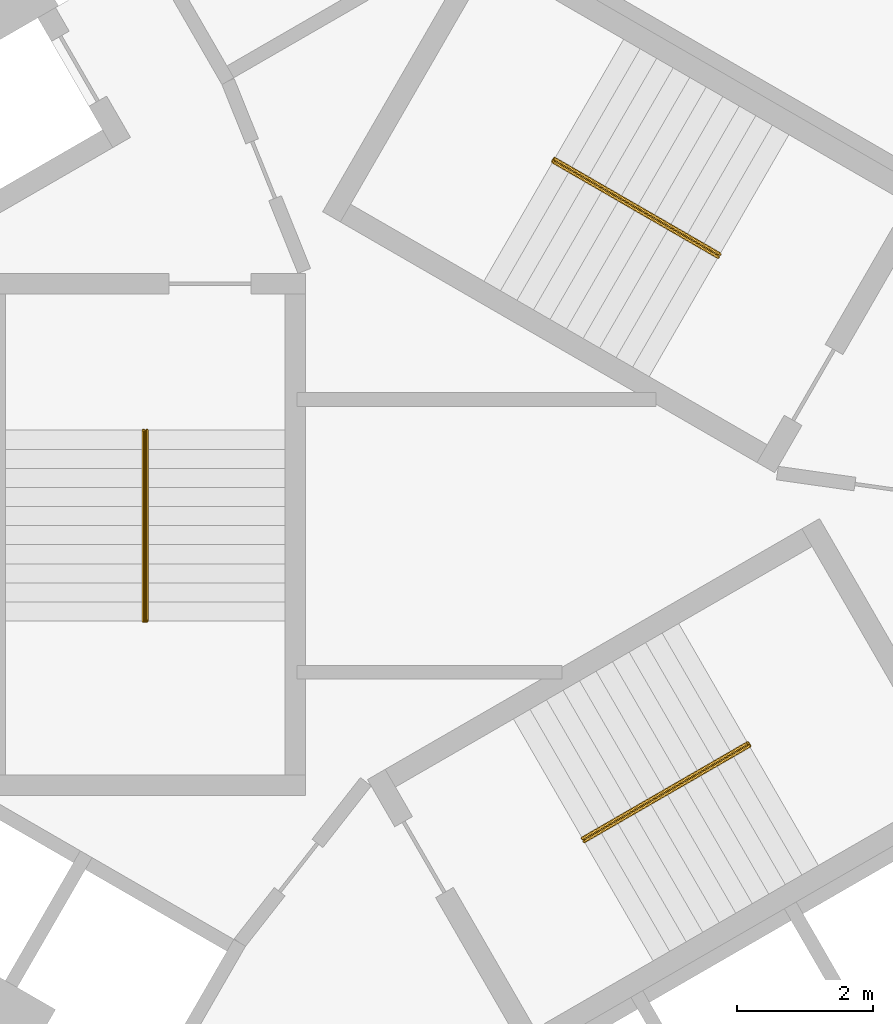
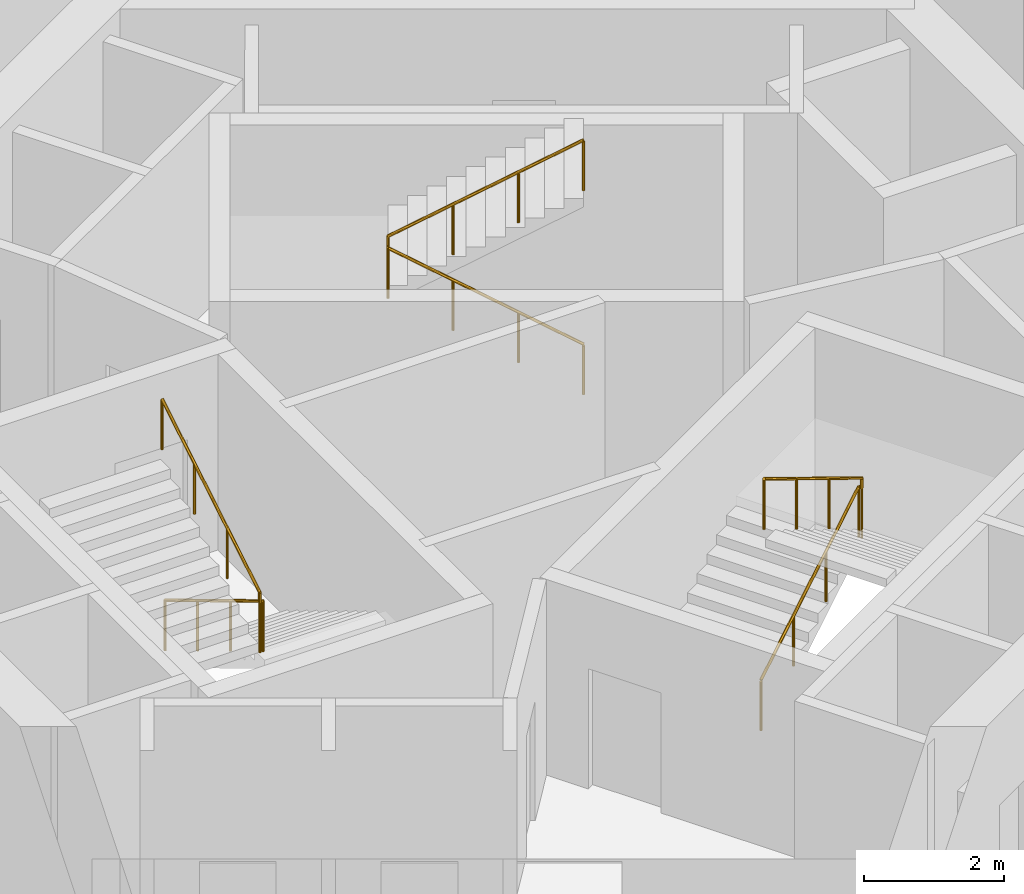
# One storey, part 11 of 11: 3 railings.
"""IFC4 building model written with IfcOpenShell, lengths in metres."""

from ifc_helpers import new_model, si_unit, direction, frame, origin, origin_2d, place, context, subcontext, project, spatial, circle, extrude, material, type_object, element, save


model = new_model("IFC4")

# Units and contexts
model_context = context("Model", 3, precision=1e-05, world=origin(), true_north=direction((0.0, 1.0)))
body_context = subcontext(model_context, "Body", "Model", "MODEL_VIEW")
ifc_project = project(units=[si_unit("LENGTHUNIT", "METRE"), si_unit("AREAUNIT", "SQUARE_METRE"), si_unit("VOLUMEUNIT", "CUBIC_METRE"), si_unit("PLANEANGLEUNIT", "RADIAN"), si_unit("MASSUNIT", "GRAM", prefix="KILO")], contexts=[model_context])

# Site, building, storey
site_placement = place(None, origin())
site = spatial("IfcSite", under=ifc_project, at=site_placement, CompositionType="ELEMENT")
building_placement = place(site_placement, origin())
building = spatial("IfcBuilding", under=site, at=building_placement, Name="Vanh Sen Convention Tower", CompositionType="ELEMENT")
storey_placement = place(building_placement, frame((0.0, 0.0, 270.89990234375)))
storey = spatial("IfcBuildingStorey", under=building, at=storey_placement, Name="L67", CompositionType="ELEMENT", Elevation=270.89990234375)

# Railings
ifc_material = material(Name="Stainless steel handrail", Category="steel")
railing_type = type_object("IfcRailingType", Name="Stair handrail 900", PredefinedType="HANDRAIL", material=ifc_material)
railing_1_placement = place(storey_placement, frame((3.45849609375, 3.690185546875, 0.168212890625)))
element("IfcRailing", 1, at=railing_1_placement, inside=storey, type_object=railing_type, Name="Stair handrail ST1 L67", PredefinedType="HANDRAIL", context=body_context, shape_type="SweptSolid", body=[
    extrude(circle(Radius=0.02392578125, at=origin_2d()), frame((0.0, 0.0, 0.8759765625), z_axis=(-0.742390482028, 0.42860119049, 0.514934356695), x_axis=(-0.49998411664, -0.866034573852, 0.0)), (0.0, 0.0, 1.0), 3.26611328125),
    extrude(circle(Radius=0.02392578125, at=origin_2d()), frame((-2.4248046875, 1.39990234375, 2.5576171875), z_axis=(0.497188445666, 0.867642581652, 0.0), x_axis=(-0.867642581652, 0.497188445666, 0.0)), (0.0, 0.0, 1.0), 0.050048828125),
    extrude(circle(Radius=0.02392578125, at=origin_2d()), frame((-2.39990234375, 1.443359375, 2.5576171875), z_axis=(0.0, 0.0, 1.0), x_axis=(1.0, 0.0, 0.0)), (0.0, 0.0, 1.0), 0.168212890625),
    extrude(circle(Radius=0.02392578125, at=origin_2d()), frame((-2.39990234375, 1.443359375, 2.72607421875), z_axis=(0.742366697286, -0.42866220388, 0.514917859203), x_axis=(0.500049511043, 0.865996816683, 0.0)), (0.0, 0.0, 1.0), 3.266357421875),
    extrude(circle(Radius=0.02099609375, at=origin_2d()), origin(), (0.0, 0.0, 1.0), 0.851806640625),
    extrude(circle(Radius=0.02099609375, at=origin_2d()), frame((-0.808349609375, 0.466552734375, 0.560546875)), (0.0, 0.0, 1.0), 0.851806640625),
    extrude(circle(Radius=0.02099609375, at=origin_2d()), frame((-1.616455078125, 0.933349609375, 1.121337890625)), (0.0, 0.0, 1.0), 0.851806640625),
    extrude(circle(Radius=0.02099609375, at=origin_2d()), frame((-2.4248046875, 1.39990234375, 1.681884765625)), (0.0, 0.0, 1.0), 0.851806640625),
    extrude(circle(Radius=0.02099609375, at=origin_2d()), frame((-2.39990234375, 1.443359375, 1.681884765625)), (0.0, 0.0, 1.0), 0.851806640625),
    extrude(circle(Radius=0.02099609375, at=origin_2d()), frame((-2.39990234375, 1.443359375, 1.85009765625)), (0.0, 0.0, 1.0), 0.851806640625),
    extrude(circle(Radius=0.02099609375, at=origin_2d()), frame((-1.591552734375, 0.9765625, 2.41064453125)), (0.0, 0.0, 1.0), 0.851806640625),
    extrude(circle(Radius=0.02099609375, at=origin_2d()), frame((-0.783447265625, 0.510009765625, 2.971435546875)), (0.0, 0.0, 1.0), 0.851806640625),
    extrude(circle(Radius=0.02099609375, at=origin_2d()), frame((0.02490234375, 0.043212890625, 3.531982421875)), (0.0, 0.0, 1.0), 0.851806640625),
])
railing_2_placement = place(storey_placement, frame((-4.925048828125, 1.14990234375, 0.168212890625)))
element("IfcRailing", 2, at=railing_2_placement, inside=storey, type_object=railing_type, Name="Stair handrail ST2 L67", PredefinedType="HANDRAIL", context=body_context, shape_type="SweptSolid", body=[
    extrude(circle(Radius=0.02392578125, at=origin_2d()), frame((0.0, 0.0, 0.8759765625), z_axis=(0.0, -0.857222391501, 0.514946377315), x_axis=(1.0, 0.0, 0.0)), (0.0, 0.0, 1.0), 3.26611328125),
    extrude(circle(Radius=0.02392578125, at=origin_2d()), frame((0.0, -2.7998046875, 2.5576171875), z_axis=(-1.0, 0.0, 0.0), x_axis=(0.0, -1.0, 0.0)), (0.0, 0.0, 1.0), 0.050048828125),
    extrude(circle(Radius=0.02392578125, at=origin_2d()), frame((-0.050048828125, -2.7998046875, 2.5576171875), z_axis=(0.0, 0.0, 1.0), x_axis=(1.0, 0.0, 0.0)), (0.0, 0.0, 1.0), 0.168212890625),
    extrude(circle(Radius=0.02392578125, at=origin_2d()), frame((-0.050048828125, -2.7998046875, 2.72607421875), z_axis=(0.0, 0.857222391501, 0.514946377315), x_axis=(-1.0, 0.0, 0.0)), (0.0, 0.0, 1.0), 3.26611328125),
    extrude(circle(Radius=0.02099609375, at=origin_2d()), origin(), (0.0, 0.0, 1.0), 0.851806640625),
    extrude(circle(Radius=0.02099609375, at=origin_2d()), frame((0.0, -0.933349609375, 0.560546875)), (0.0, 0.0, 1.0), 0.851806640625),
    extrude(circle(Radius=0.02099609375, at=origin_2d()), frame((0.0, -1.866455078125, 1.121337890625)), (0.0, 0.0, 1.0), 0.851806640625),
    extrude(circle(Radius=0.02099609375, at=origin_2d()), frame((0.0, -2.7998046875, 1.681884765625)), (0.0, 0.0, 1.0), 0.851806640625),
    extrude(circle(Radius=0.02099609375, at=origin_2d()), frame((-0.050048828125, -2.7998046875, 1.681884765625)), (0.0, 0.0, 1.0), 0.851806640625),
    extrude(circle(Radius=0.02099609375, at=origin_2d()), frame((-0.050048828125, -2.7998046875, 1.85009765625)), (0.0, 0.0, 1.0), 0.851806640625),
    extrude(circle(Radius=0.02099609375, at=origin_2d()), frame((-0.050048828125, -1.866455078125, 2.41064453125)), (0.0, 0.0, 1.0), 0.851806640625),
    extrude(circle(Radius=0.02099609375, at=origin_2d()), frame((-0.050048828125, -0.933349609375, 2.971435546875)), (0.0, 0.0, 1.0), 0.851806640625),
    extrude(circle(Radius=0.02099609375, at=origin_2d()), frame((-0.050048828125, 0.0, 3.531982421875)), (0.0, 0.0, 1.0), 0.851806640625),
])
railing_3_placement = place(storey_placement, frame((1.466552734375, -4.840087890625, 0.168212890625)))
element("IfcRailing", 3, at=railing_3_placement, inside=storey, type_object=railing_type, Name="Stair handrail ST3 L67", PredefinedType="HANDRAIL", context=body_context, shape_type="SweptSolid", body=[
    extrude(circle(Radius=0.02392578125, at=origin_2d()), frame((0.0, 0.0, 0.8759765625), z_axis=(0.742390482028, 0.42860119049, 0.514934356695), x_axis=(-0.49998411664, 0.866034573852, 0.0)), (0.0, 0.0, 1.0), 3.26611328125),
    extrude(circle(Radius=0.02392578125, at=origin_2d()), frame((2.4248046875, 1.39990234375, 2.5576171875), z_axis=(0.502959906984, -0.86430974307, 0.0), x_axis=(0.86430974307, 0.502959906984, 0.0)), (0.0, 0.0, 1.0), 0.050048828125),
    extrude(circle(Radius=0.02392578125, at=origin_2d()), frame((2.449951171875, 1.356689453125, 2.5576171875), z_axis=(0.0, 0.0, 1.0), x_axis=(1.0, 0.0, 0.0)), (0.0, 0.0, 1.0), 0.168212890625),
    extrude(circle(Radius=0.02392578125, at=origin_2d()), frame((2.449951171875, 1.356689453125, 2.72607421875), z_axis=(-0.742366697286, -0.42866220388, 0.514917859203), x_axis=(0.500049511043, -0.865996816683, 0.0)), (0.0, 0.0, 1.0), 3.266357421875),
    extrude(circle(Radius=0.02099609375, at=origin_2d()), origin(), (0.0, 0.0, 1.0), 0.851806640625),
    extrude(circle(Radius=0.02099609375, at=origin_2d()), frame((0.808349609375, 0.466552734375, 0.560546875)), (0.0, 0.0, 1.0), 0.851806640625),
    extrude(circle(Radius=0.02099609375, at=origin_2d()), frame((1.616455078125, 0.933349609375, 1.121337890625)), (0.0, 0.0, 1.0), 0.851806640625),
    extrude(circle(Radius=0.02099609375, at=origin_2d()), frame((2.4248046875, 1.39990234375, 1.681884765625)), (0.0, 0.0, 1.0), 0.851806640625),
    extrude(circle(Radius=0.02099609375, at=origin_2d()), frame((2.449951171875, 1.356689453125, 1.681884765625)), (0.0, 0.0, 1.0), 0.851806640625),
    extrude(circle(Radius=0.02099609375, at=origin_2d()), frame((2.449951171875, 1.356689453125, 1.85009765625)), (0.0, 0.0, 1.0), 0.851806640625),
    extrude(circle(Radius=0.02099609375, at=origin_2d()), frame((1.6416015625, 0.889892578125, 2.41064453125)), (0.0, 0.0, 1.0), 0.851806640625),
    extrude(circle(Radius=0.02099609375, at=origin_2d()), frame((0.83349609375, 0.42333984375, 2.971435546875)), (0.0, 0.0, 1.0), 0.851806640625),
    extrude(circle(Radius=0.02099609375, at=origin_2d()), frame((0.025146484375, -0.04345703125, 3.531982421875)), (0.0, 0.0, 1.0), 0.851806640625),
])

save(model, "model.ifc")
